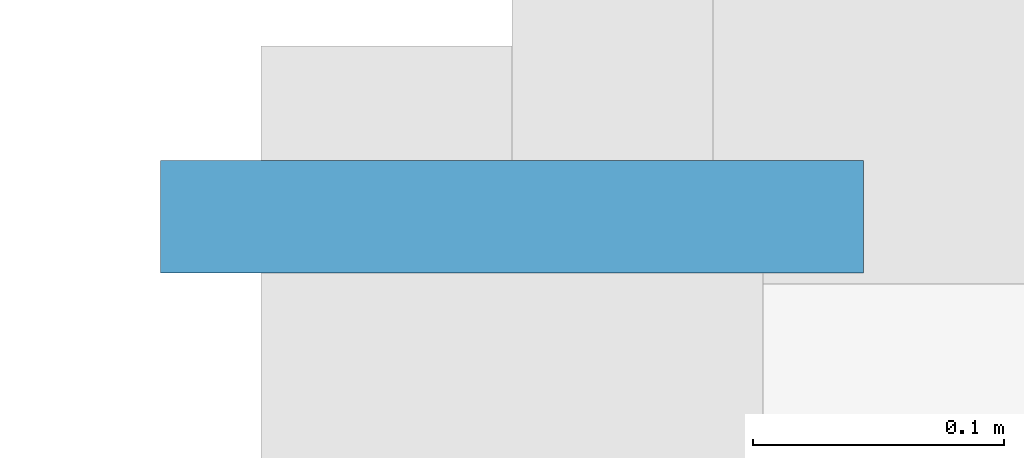
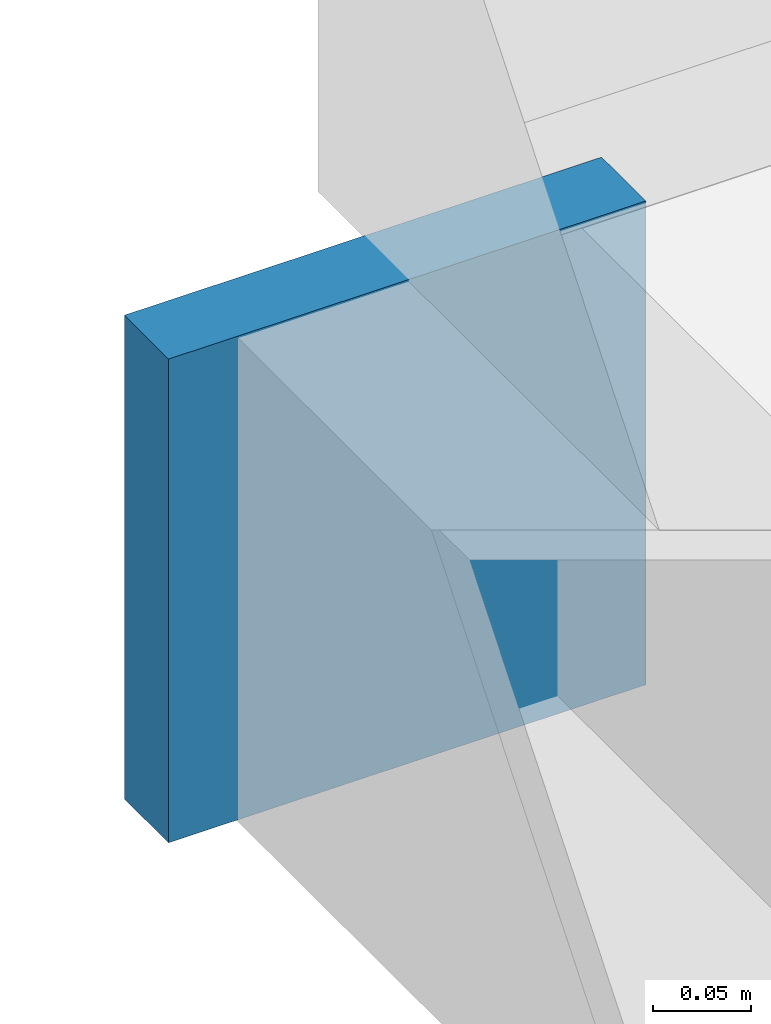
# One storey, part 17 of 24: 1 plate.
"""IFC4 building model written with IfcOpenShell, lengths in metres."""

import ifcopenshell
import ifcopenshell.guid

model = None  # the IFC model being written
_history = None  # IfcOwnerHistory: only IFC2X3 demands one
_inside = {}  # id of a spatial element -> (the spatial element, [elements in it])
_under = {}  # id of a project, library or spatial element -> (it, [spatial elements below it])
_declared = {}  # id of a project -> (the project, [libraries it declares])
_typed = {}  # id of a type object -> (the type object, [elements of that type])
_made_of = {}  # id of a material, layer set ... -> (it, [elements and type objects made of it])


def new_model(schema):
    """Start an empty IFC model of exactly this schema.

    Asked for "IFC4X3", IfcOpenShell would pick the latest addendum, in which some entities
    have other attributes; the version numbers below select the first issue.
    IFC2X3 requires an IfcOwnerHistory on every rooted entity: one is made here for all.
    """
    global model, _history
    if schema == "IFC4X3":
        model = ifcopenshell.file(schema_version=(4, 3, 0, 0))
    else:
        model = ifcopenshell.file(schema=schema)
    _inside.clear()
    _under.clear()
    _declared.clear()
    _typed.clear()
    _made_of.clear()
    _history = None
    if model.schema == "IFC2X3":
        org = make("IfcOrganization", Name="unknown")
        user = make(
            "IfcPersonAndOrganization",
            ThePerson=make("IfcPerson", FamilyName="unknown"),
            TheOrganization=org,
        )
        app = make(
            "IfcApplication",
            ApplicationDeveloper=org,
            Version="unknown",
            ApplicationFullName="unknown",
            ApplicationIdentifier="unknown",
        )
        _history = make(
            "IfcOwnerHistory",
            OwningUser=user,
            OwningApplication=app,
            ChangeAction="ADDED",
            CreationDate=0,
        )
    return model


def make(cls, **values):
    """One entity of the class cls with the attributes given. An attribute that is None is left unset."""
    return model.create_entity(
        cls, **{name: value for name, value in values.items() if value is not None}
    )


def rooted(cls, **values):
    """An entity with a GlobalId (a new one), such as an element, a storey or a relation."""
    return make(cls, GlobalId=ifcopenshell.guid.new(), OwnerHistory=_history, **values)


def si_unit(unit_type, name, prefix=None):
    """IfcSIUnit, for example si_unit("LENGTHUNIT", "METRE", prefix="MILLI")."""
    return make("IfcSIUnit", UnitType=unit_type, Prefix=prefix, Name=name)


def assignment(units):
    """IfcUnitAssignment: the units of a project."""
    return None if units is None else make("IfcUnitAssignment", Units=units)


def point(xyz):
    """IfcCartesianPoint."""
    return None if xyz is None else make("IfcCartesianPoint", Coordinates=xyz)


def direction(xyz):
    """IfcDirection."""
    return None if xyz is None else make("IfcDirection", DirectionRatios=xyz)


def frame(location, z_axis=None, x_axis=None):
    """IfcAxis2Placement3D, a coordinate frame: its origin and axes. An axis left out is left unset."""
    return make(
        "IfcAxis2Placement3D",
        Location=point(location),
        Axis=direction(z_axis),
        RefDirection=direction(x_axis),
    )


def frame_2d(location, x_axis=None):
    """IfcAxis2Placement2D, a coordinate frame in the plane: its origin and x axis."""
    return make(
        "IfcAxis2Placement2D", Location=point(location), RefDirection=direction(x_axis)
    )


def origin():
    """The frame at (0, 0, 0) with its axes left unset."""
    return frame((0.0, 0.0, 0.0))


def origin_2d():
    """The frame at (0, 0) in the plane with its x axis left unset."""
    return frame_2d((0.0, 0.0))


def place(relative_to, where):
    """IfcLocalPlacement: puts the frame where relative to a parent placement (None: the world)."""
    return make(
        "IfcLocalPlacement", PlacementRelTo=relative_to, RelativePlacement=where
    )


def context(
    kind, dimensions, precision=None, world=None, true_north=None, identifier=None
):
    """IfcGeometricRepresentationContext, for example the 3D "Model" context."""
    return make(
        "IfcGeometricRepresentationContext",
        ContextIdentifier=identifier,
        ContextType=kind,
        CoordinateSpaceDimension=dimensions,
        Precision=precision,
        WorldCoordinateSystem=world,
        TrueNorth=true_north,
    )


def subcontext(parent, identifier, kind, view, scale=None):
    """IfcGeometricRepresentationSubContext, for example "Body" below "Model"."""
    return make(
        "IfcGeometricRepresentationSubContext",
        ContextIdentifier=identifier,
        ContextType=kind,
        ParentContext=parent,
        TargetScale=scale,
        TargetView=view,
    )


def project(units=None, contexts=None):
    """IfcProject with its units and contexts."""
    return rooted(
        "IfcProject",
        Name="project",
        RepresentationContexts=contexts,
        UnitsInContext=assignment(units),
    )


def spatial(cls, under=None, at=None, **own):
    """A site, building, storey or space (cls), placed at a placement, below another one or the project."""
    s = rooted(cls, ObjectPlacement=at, **own)
    if under is not None:
        _under.setdefault(under.id(), (under, []))[1].append(s)
    return s


def profile(cls, at=None, kind="AREA", **sizes):
    """A parametric profile (cls). Its sizes go by their IFC names, for example OverallWidth=200.0."""
    return make(cls, ProfileType=kind, Position=at, **sizes)


def rectangle(**sizes):
    """IfcRectangleProfileDef."""
    return profile("IfcRectangleProfileDef", **sizes)


def extrude(swept, where, along, depth):
    """IfcExtrudedAreaSolid: the profile swept, set in the frame where, extruded along a direction by depth."""
    return make(
        "IfcExtrudedAreaSolid",
        SweptArea=swept,
        Position=where,
        ExtrudedDirection=direction(along),
        Depth=depth,
    )


def shape(context_of_items, identifier, shape_type, items):
    """IfcShapeRepresentation: the items that make up one representation, for example the "Body"."""
    return make(
        "IfcShapeRepresentation",
        ContextOfItems=context_of_items,
        RepresentationIdentifier=identifier,
        RepresentationType=shape_type,
        Items=items,
    )


def material(Name=None, Category=None):
    """IfcMaterial."""
    return make("IfcMaterial", Name=Name, Category=Category)


def layer(
    of_material, thickness, ventilated=None, Name=None, Category=None, Priority=None
):
    """IfcMaterialLayer: one layer of a wall or slab, of a material (None: an air gap)."""
    return make(
        "IfcMaterialLayer",
        Material=of_material,
        LayerThickness=thickness,
        IsVentilated=ventilated,
        Name=Name,
        Category=Category,
        Priority=Priority,
    )


def layer_set(layers, Name=None):
    """IfcMaterialLayerSet."""
    return make("IfcMaterialLayerSet", MaterialLayers=layers, LayerSetName=Name)


def made_of(thing, what):
    """Note that an element or type object is made of a material, layer set ...; save() writes the relation."""
    if what is not None:
        _made_of.setdefault(what.id(), (what, []))[1].append(thing)
    return thing


def type_object(cls, material=None, **own):
    """A type object (cls), such as IfcWallType, which elements share."""
    return made_of(rooted(cls, **own), material)


def element(
    cls,
    number,
    at=None,
    inside=None,
    cuts=None,
    type_object=None,
    material=None,
    context=None,
    identifier="Body",
    shape_type=None,
    held_by="IfcProductDefinitionShape",
    body=None,
    shapes=None,
    **own,
):
    """One element of the class cls, such as IfcWall. Its Tag is "e" and its number.

    at: its placement. inside: the storey or other place that contains it. cuts: it is an
    opening in that element (IfcRelVoidsElement). A single representation is given by context,
    identifier, shape_type and body (its items); several are given by shapes. held_by: the class
    of the entity that holds the representations. save() writes the other relations.
    """
    e = rooted(cls, Tag="e%d" % number, ObjectPlacement=at, **own)
    if body is not None:
        shapes = [shape(context, identifier, shape_type, body)]
    if shapes is not None:
        e.Representation = make(held_by, Representations=shapes)
    if inside is not None:
        _inside.setdefault(inside.id(), (inside, []))[1].append(e)
    if cuts is not None:
        rooted(
            "IfcRelVoidsElement", RelatingBuildingElement=cuts, RelatedOpeningElement=e
        )
    if type_object is not None:
        _typed.setdefault(type_object.id(), (type_object, []))[1].append(e)
    return made_of(e, material)


def aggregate(whole, parts):
    """IfcRelAggregates: a whole, such as a stair, and the parts it consists of."""
    return rooted("IfcRelAggregates", RelatingObject=whole, RelatedObjects=parts)


def save(model, path):
    """Write the relations noted so far, then the file.

    IfcRelAggregates (storeys below a building ...), IfcRelContainedInSpatialStructure (elements
    in a storey), IfcRelDefinesByType, IfcRelAssociatesMaterial and IfcRelDeclares: one each for
    every whole, place, type object, material and project.
    """
    for whole, parts in _under.values():
        aggregate(whole, parts)
    for where, things in _inside.values():
        rooted(
            "IfcRelContainedInSpatialStructure",
            RelatedElements=things,
            RelatingStructure=where,
        )
    for kind, things in _typed.values():
        rooted("IfcRelDefinesByType", RelatedObjects=things, RelatingType=kind)
    for what, things in _made_of.values():
        rooted("IfcRelAssociatesMaterial", RelatedObjects=things, RelatingMaterial=what)
    for by, libraries in _declared.values():
        rooted("IfcRelDeclares", RelatingContext=by, RelatedDefinitions=libraries)
    model.write(path)


model = new_model("IFC4")

# Units and contexts
model_context = context("Model", 3, precision=1e-05, world=origin(), true_north=direction((0.0, 1.0)))
body_context = subcontext(model_context, "Body", "Model", "MODEL_VIEW")
ifc_project = project(units=[si_unit("LENGTHUNIT", "METRE"), si_unit("AREAUNIT", "SQUARE_METRE"), si_unit("VOLUMEUNIT", "CUBIC_METRE"), si_unit("PLANEANGLEUNIT", "RADIAN"), si_unit("MASSUNIT", "GRAM", prefix="KILO")], contexts=[model_context])

# Site, building, storey
site_placement = place(None, origin())
site = spatial("IfcSite", under=ifc_project, at=site_placement, CompositionType="ELEMENT")
building_placement = place(site_placement, origin())
building = spatial("IfcBuilding", under=site, at=building_placement, Name="Caisbarro Railhouse Central Library", CompositionType="ELEMENT")
storey_placement = place(building_placement, frame((0.0, 0.0, 22.320068359375)))
storey = spatial("IfcBuildingStorey", under=building, at=storey_placement, Name="L05", CompositionType="ELEMENT", Elevation=22.320068359375)

# Plate
ifc_material = material(Name="Steel ASTM A572 Grade 50", Category="steel")
ifc_layer = layer(ifc_material, 0.044921875, Name="Steel ASTM A572 Grade 50")
ifc_layer_set = layer_set([ifc_layer], Name="Steel ASTM A572 Grade 50")
plate_type = type_object("IfcPlateType", Name="PLT-EP01", PredefinedType="SHEET", material=ifc_layer_set)
plate_placement = place(storey_placement, frame((117.0, 113.931884765625, -0.5400390625), z_axis=(0.0, 0.0, 1.0), x_axis=(0.0, 1.0, 0.0)))
element("IfcPlate", 1, at=plate_placement, inside=storey, type_object=plate_type, Name="EP01 end cap plate", PredefinedType="SHEET", context=body_context, shape_type="SweptSolid", body=[
    extrude(rectangle(XDim=0.044921875, YDim=0.280029296875, at=origin_2d()), origin(), (0.0, 0.0, 1.0), 0.300048828125),
])

save(model, "model.ifc")
